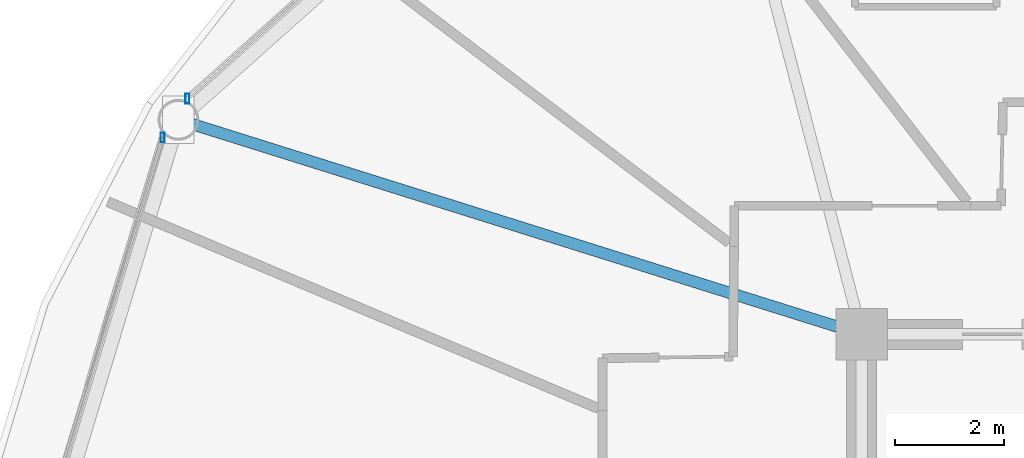
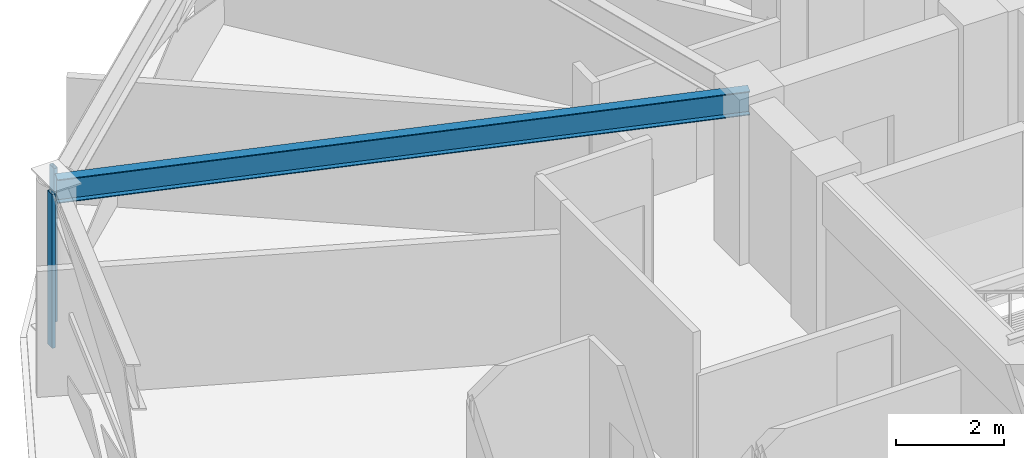
# One storey, part 14 of 32: 2 members, 1 beam, 2 elements without a shape of their own.
"""IFC4 building model written with IfcOpenShell, lengths in metres."""

from ifc_helpers import new_model, si_unit, direction, frame, origin, origin_2d, place, context, subcontext, project, spatial, hollow_rectangle, i_section, extrude, material, layer, layer_set, material_profile, profile_set, type_object, element, aggregate, save


model = new_model("IFC4")

# Units and contexts
model_context = context("Model", 3, precision=1e-05, world=origin(), true_north=direction((0.0, 1.0)))
body_context = subcontext(model_context, "Body", "Model", "MODEL_VIEW")
ifc_project = project(units=[si_unit("LENGTHUNIT", "METRE"), si_unit("AREAUNIT", "SQUARE_METRE"), si_unit("VOLUMEUNIT", "CUBIC_METRE"), si_unit("PLANEANGLEUNIT", "RADIAN"), si_unit("MASSUNIT", "GRAM", prefix="KILO")], contexts=[model_context])

# Site, building, storey
site_placement = place(None, origin())
site = spatial("IfcSite", under=ifc_project, at=site_placement, CompositionType="ELEMENT")
building_placement = place(site_placement, origin())
building = spatial("IfcBuilding", under=site, at=building_placement, Name="Vantalir Tower", CompositionType="ELEMENT")
storey_placement = place(building_placement, frame((0.0, 0.0, 108.449951171875)))
storey = spatial("IfcBuildingStorey", under=building, at=storey_placement, Name="L26", CompositionType="ELEMENT", Elevation=108.449951171875)

# Beam
ifc_material_1 = material(Name="Steel S355", Category="steel")
ifc_material_profile_1 = material_profile(ifc_material_1, i_section(OverallWidth=0.2109375, OverallDepth=0.5390625, WebThickness=0.01171875, FlangeThickness=0.018798828125, at=origin_2d()), Name="Steel S355")
ifc_profile_set_1 = profile_set([ifc_material_profile_1], Name="Steel S355")
beam_type = type_object("IfcBeamType", Name="BM-RB-533x210", PredefinedType="BEAM", material=ifc_profile_set_1)
beam_placement = place(storey_placement, frame((9.340087890625, 36.39404296875, 3.300048828125), z_axis=(0.954064922814, -0.299599938343, 0.0), x_axis=(0.299599938343, 0.954064922814, 0.0)))
element("IfcBeam", 1, at=beam_placement, inside=storey, type_object=beam_type, Name="L26 Radial Floor Beam 06", PredefinedType="BEAM", context=body_context, shape_type="SweptSolid", body=[
    extrude(i_section(OverallWidth=0.2109375, OverallDepth=0.5390625, WebThickness=0.01171875, FlangeThickness=0.018798828125, at=origin_2d()), origin(), (0.0, 0.0, 1.0), 13.16455078125),
])

# Curtain wall, member
ifc_material_2 = material(Name="Champagne-silver PVDF aluminium and double-silver Low-E glass", Category="aluminium")
ifc_layer = layer(ifc_material_2, 0.199951171875)
ifc_layer_set = layer_set([ifc_layer], Name="Champagne-silver PVDF aluminium and double-silver Low-E glass")
curtain_wall_type = type_object("IfcCurtainWallType", Name="CW-DIAMOND-Z2", PredefinedType="USERDEFINED", material=ifc_layer_set)
curtain_wall_1_placement = place(storey_placement, origin())
curtain_wall_1 = element("IfcCurtainWall", 2, at=curtain_wall_1_placement, inside=storey, type_object=curtain_wall_type, Name="L26 Quilted Pyramid-Diamond Curtain Wall S05", ObjectType="UNITISED CURTAIN WALL", PredefinedType="USERDEFINED")
ifc_material_3 = material(Name="Champagne-silver PVDF aluminium 6063-T6", Category="aluminium")
ifc_material_profile_2 = material_profile(ifc_material_3, hollow_rectangle(XDim=0.074951171875, YDim=0.179931640625, WallThickness=0.00390625, at=origin_2d()), Name="Champagne-silver PVDF aluminium 6063-T6")
ifc_profile_set_2 = profile_set([ifc_material_profile_2], Name="Champagne-silver PVDF aluminium 6063-T6")
member_type = type_object("IfcMemberType", Name="CWM-180x75", PredefinedType="MULLION", material=ifc_profile_set_2)
member_1_placement = place(storey_placement, frame((9.50390625, 36.781982421875, 0.045166015625), z_axis=(0.0, 0.0, 1.0), x_axis=(1.0, 0.0, 0.0)))
member_1 = element("IfcMember", 3, at=member_1_placement, type_object=member_type, Name="CW-L26-S05 Mullion 2", PredefinedType="MULLION", context=body_context, shape_type="SweptSolid", body=[
    extrude(hollow_rectangle(XDim=0.074951171875, YDim=0.179931640625, WallThickness=0.00390625, at=origin_2d()), origin(), (0.0, 0.0, 1.0), 3.47998046875),
])
aggregate(curtain_wall_1, [member_1])

curtain_wall_2_placement = place(storey_placement, origin())
curtain_wall_2 = element("IfcCurtainWall", 4, at=curtain_wall_2_placement, inside=storey, type_object=curtain_wall_type, Name="L26 Quilted Pyramid-Diamond Curtain Wall S06", ObjectType="UNITISED CURTAIN WALL", PredefinedType="USERDEFINED")
member_2_placement = place(storey_placement, frame((9.049072265625, 36.068115234375, 0.045166015625), z_axis=(0.0, 0.0, 1.0), x_axis=(1.0, 0.0, 0.0)))
member_2 = element("IfcMember", 5, at=member_2_placement, type_object=member_type, Name="CW-L26-S06 Mullion 1", PredefinedType="MULLION", context=body_context, shape_type="SweptSolid", body=[
    extrude(hollow_rectangle(XDim=0.074951171875, YDim=0.179931640625, WallThickness=0.00390625, at=origin_2d()), origin(), (0.0, 0.0, 1.0), 3.47998046875),
])
aggregate(curtain_wall_2, [member_2])

save(model, "model.ifc")
